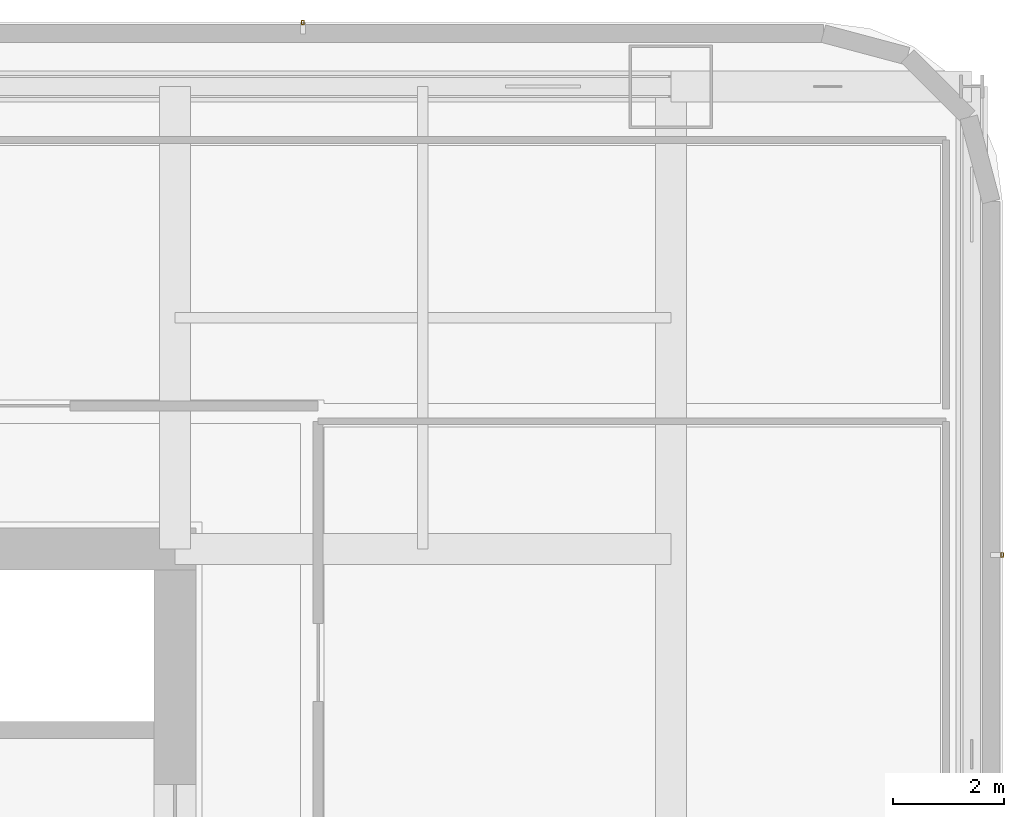
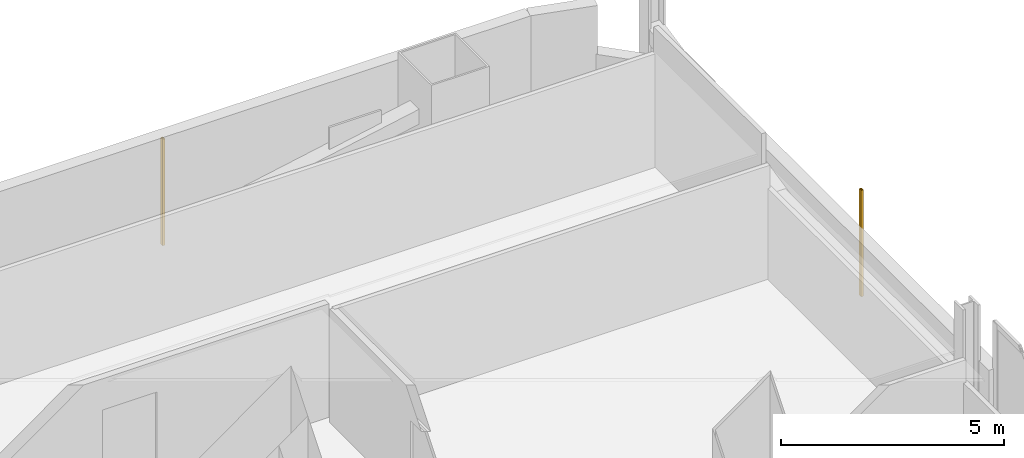
# One storey, part 27 of 27: 2 shading devices.
"""IFC4 building model written with IfcOpenShell, lengths in metres."""

from ifc_helpers import new_model, si_unit, direction, frame, origin, origin_2d, place, context, subcontext, project, spatial, hollow_rectangle, extrude, material, material_profile, profile_set, type_object, element, save


model = new_model("IFC4")

# Units and contexts
model_context = context("Model", 3, precision=1e-05, world=origin(), true_north=direction((0.0, 1.0)))
body_context = subcontext(model_context, "Body", "Model", "MODEL_VIEW")
ifc_project = project(units=[si_unit("LENGTHUNIT", "METRE"), si_unit("AREAUNIT", "SQUARE_METRE"), si_unit("VOLUMEUNIT", "CUBIC_METRE"), si_unit("PLANEANGLEUNIT", "RADIAN"), si_unit("MASSUNIT", "GRAM", prefix="KILO")], contexts=[model_context])

# Site, building, storey
site_placement = place(None, origin())
site = spatial("IfcSite", under=ifc_project, at=site_placement, CompositionType="ELEMENT")
building_placement = place(site_placement, origin())
building = spatial("IfcBuilding", under=site, at=building_placement, Name="Punatoya Terracotta Tower", CompositionType="ELEMENT")
storey_placement = place(building_placement, frame((0.0, 0.0, 60.60009765625)))
storey = spatial("IfcBuildingStorey", under=building, at=storey_placement, Name="L13", CompositionType="ELEMENT", Elevation=60.60009765625)

# Shading devices
ifc_material = material(Name="Architectural Fired Terracotta", Category="masonry")
ifc_material_profile = material_profile(ifc_material, hollow_rectangle(XDim=0.06005859375, YDim=0.090087890625, WallThickness=0.013916015625, at=origin_2d()))
ifc_profile_set = profile_set([ifc_material_profile], Name="Architectural Fired Terracotta")
shading_device_type = type_object("IfcShadingDeviceType", Name="SHD-JALI-90", PredefinedType="JALOUSIE", material=ifc_profile_set)
for number, where, z_axis, x_axis, name in (
    (1, (25.050048828125, 9.093505859375, 0.599853515625), (0.0, 0.0, 1.0), (1.0, 0.0, 0.0), "L13 Braced Bay Terracotta Jali Fin E2"),
    (2, (12.493408203125, 18.64990234375, 0.599853515625), (0.0, 0.0, 1.0), (1.0, 0.0, 0.0), "L13 Braced Bay Terracotta Jali Fin N1"),
):
    element("IfcShadingDevice", number, at=place(storey_placement, frame(where, z_axis=z_axis, x_axis=x_axis)), inside=storey, type_object=shading_device_type, Name=name, PredefinedType="JALOUSIE", context=body_context, shape_type="SweptSolid", body=[
        extrude(hollow_rectangle(XDim=0.06005859375, YDim=0.090087890625, WallThickness=0.013916015625, at=origin_2d()), origin(), (0.0, 0.0, 1.0), 2.91015625),
    ])

save(model, "model.ifc")
